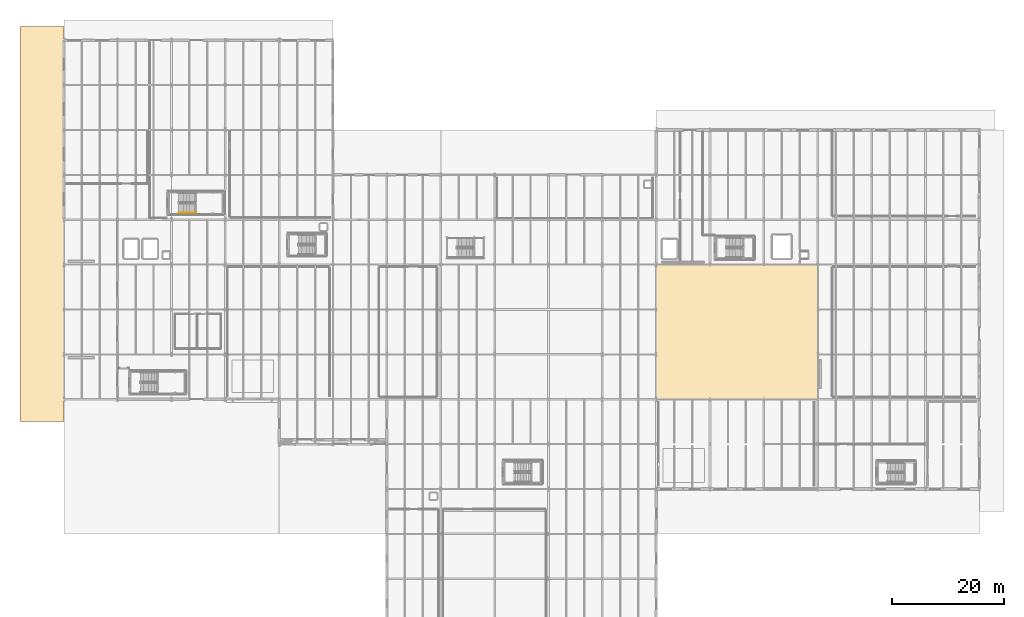
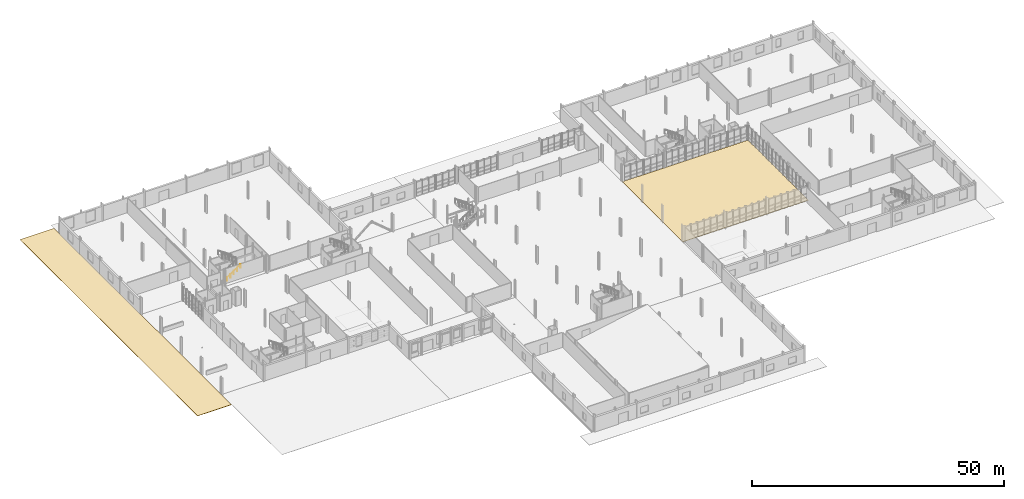
# One storey, part 70 of 78: 2 coverings, 1 railing.
"""IFC4 building model written with IfcOpenShell, lengths in metres."""

from ifc_helpers import new_model, si_unit, direction, frame, origin, origin_2d, place, context, subcontext, project, spatial, polyline, circle, outline, extrude, material, layer, layer_set, type_object, element, save


model = new_model("IFC4")

# Units and contexts
model_context = context("Model", 3, precision=1e-05, world=origin(), true_north=direction((0.0, 1.0)))
body_context = subcontext(model_context, "Body", "Model", "MODEL_VIEW")
ifc_project = project(units=[si_unit("LENGTHUNIT", "METRE"), si_unit("AREAUNIT", "SQUARE_METRE"), si_unit("VOLUMEUNIT", "CUBIC_METRE"), si_unit("PLANEANGLEUNIT", "RADIAN"), si_unit("MASSUNIT", "GRAM", prefix="KILO")], contexts=[model_context])

# Site, building, storey
site_placement = place(None, origin())
site = spatial("IfcSite", under=ifc_project, at=site_placement, CompositionType="ELEMENT")
building_placement = place(site_placement, origin())
building = spatial("IfcBuilding", under=site, at=building_placement, Name="Alderhovde Museum", CompositionType="ELEMENT")
storey_placement = place(building_placement, origin())
storey = spatial("IfcBuildingStorey", under=building, at=storey_placement, Name="L00", CompositionType="ELEMENT", Elevation=0.0)

# Coverings
ifc_material_1 = material(Name="Bush-Hammered Nordic Granite Forecourt Paving", Category="masonry")
ifc_layer = layer(ifc_material_1, 0.06005859375)
ifc_layer_set = layer_set([ifc_layer], Name="Bush-Hammered Nordic Granite Forecourt Paving")
covering_type = type_object("IfcCoveringType", Name="COV-EXT-GRANITE", PredefinedType="FLOORING", material=ifc_layer_set)
covering_1_placement = place(storey_placement, frame((0.0, 0.0, -0.06005859375)))
element("IfcCovering", 1, at=covering_1_placement, inside=storey, type_object=covering_type, Name="West Street Granite Esplanade", PredefinedType="FLOORING", context=body_context, shape_type="SweptSolid", body=[
    extrude(outline(polyline([(1.800048828125, 44.0), (9.60009765625, 44.0), (9.60009765625, 114.39990234375), (1.800048828125, 114.39990234375), (1.800048828125, 44.0)])), origin(), (0.0, 0.0, 1.0), 0.06005859375),
])
covering_2_placement = place(storey_placement, frame((0.0, 0.0, -0.06005859375)))
element("IfcCovering", 2, at=covering_2_placement, inside=storey, type_object=covering_type, Name="East Sculpture Court Granite Paving", PredefinedType="FLOORING", context=body_context, shape_type="SweptSolid", body=[
    extrude(outline(polyline([(115.199951171875, 48.0), (144.0, 48.0), (144.0, 72.0), (115.199951171875, 72.0), (115.199951171875, 48.0)])), origin(), (0.0, 0.0, 1.0), 0.06005859375),
])

# Railing
ifc_material_2 = material(Name="Brushed Stainless Steel Handrail", Category="steel")
railing_type = type_object("IfcRailingType", Name="RL-HANDRAIL-900", PredefinedType="HANDRAIL", material=ifc_material_2)
railing_placement = place(storey_placement, frame((30.080078125, 81.25, 0.1875)))
element("IfcRailing", 3, at=railing_placement, inside=storey, type_object=railing_type, Name="L00 ST2 stair handrail 1", PredefinedType="HANDRAIL", context=body_context, shape_type="SweptSolid", body=[
    extrude(circle(Radius=0.02392578125, at=origin_2d()), frame((0.0, 0.0, 0.8759765625), z_axis=(0.830893310487, 0.0, 0.556431762742), x_axis=(0.0, 1.0, 0.0)), (0.0, 0.0, 1.0), 3.70654296875),
    extrude(circle(Radius=0.02099609375, at=origin_2d()), origin(), (0.0, 0.0, 1.0), 0.851806640625),
    extrude(circle(Radius=0.02099609375, at=origin_2d()), frame((0.77001953125, 0.0, 0.515625)), (0.0, 0.0, 1.0), 0.851806640625),
    extrude(circle(Radius=0.02099609375, at=origin_2d()), frame((1.5400390625, 0.0, 1.03125)), (0.0, 0.0, 1.0), 0.851806640625),
    extrude(circle(Radius=0.02099609375, at=origin_2d()), frame((2.309814453125, 0.0, 1.546875)), (0.0, 0.0, 1.0), 0.851806640625),
    extrude(circle(Radius=0.02099609375, at=origin_2d()), frame((3.079833984375, 0.0, 2.0625)), (0.0, 0.0, 1.0), 0.851806640625),
])

save(model, "model.ifc")
